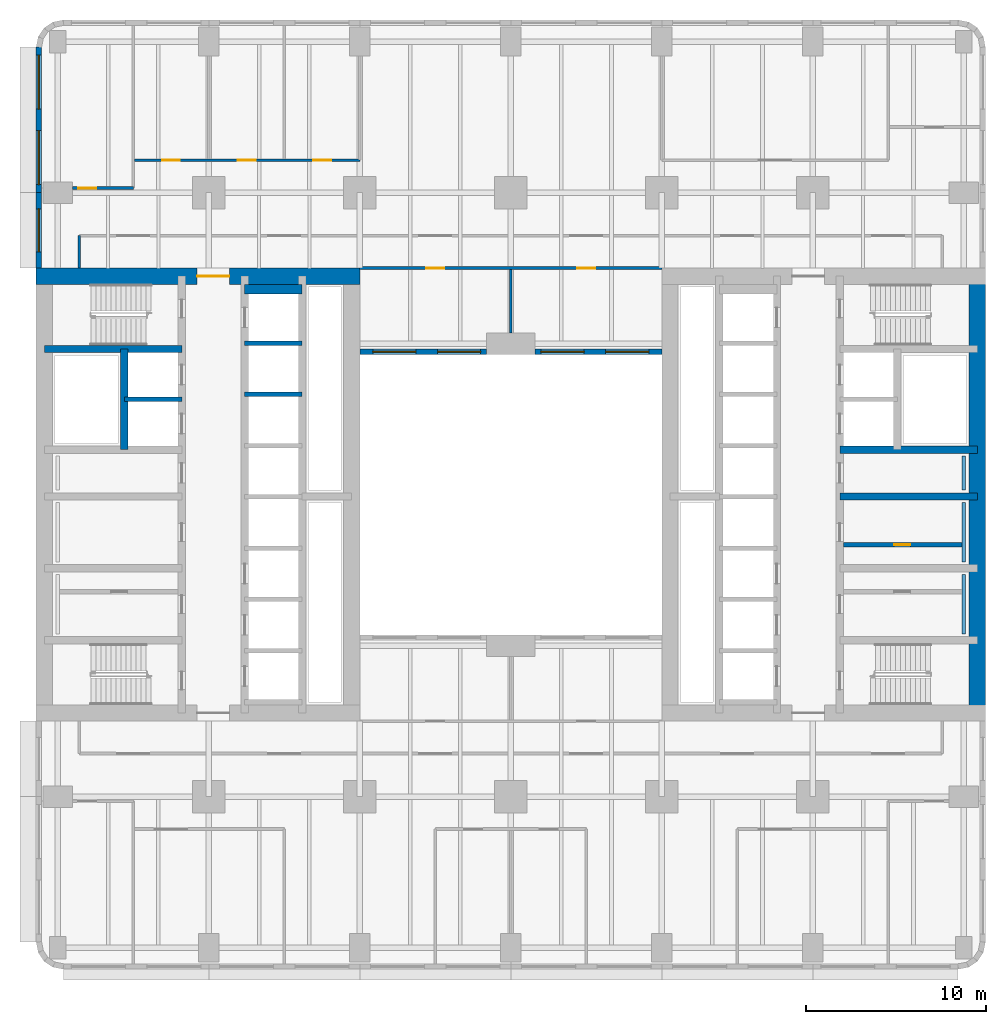
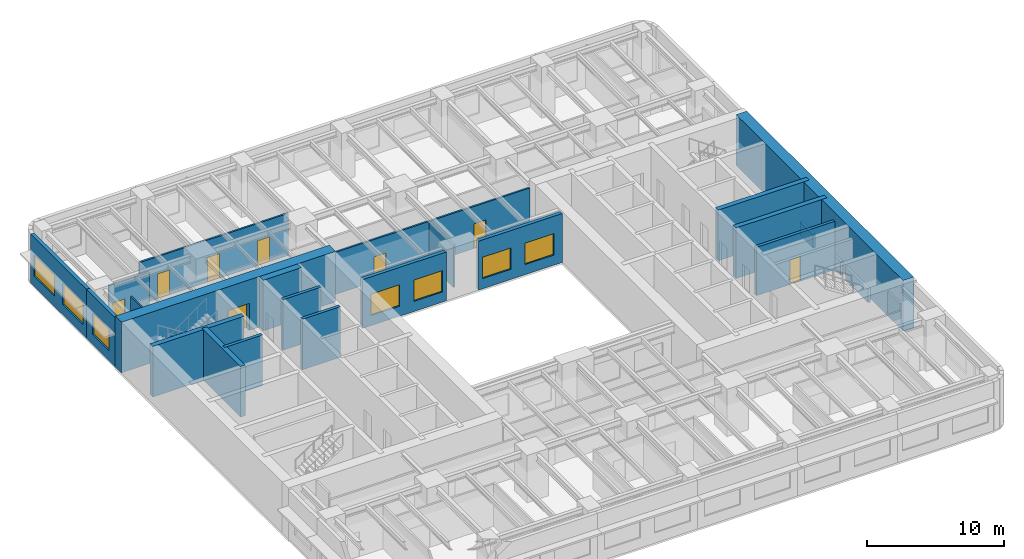
# One storey, part 6 of 14: 23 walls, 8 doors, 7 windows, 15 openings.
"""IFC4 building model written with IfcOpenShell, lengths in metres."""

from ifc_helpers import new_model, si_unit, direction, frame, frame_2d, origin, place, context, subcontext, project, spatial, rectangle, extrude, material, layer, layer_set, type_object, element, fill, save


model = new_model("IFC4")

# Units and contexts
model_context = context("Model", 3, precision=1e-05, world=origin(), true_north=direction((0.0, 1.0)))
body_context = subcontext(model_context, "Body", "Model", "MODEL_VIEW")
ifc_project = project(units=[si_unit("LENGTHUNIT", "METRE"), si_unit("AREAUNIT", "SQUARE_METRE"), si_unit("VOLUMEUNIT", "CUBIC_METRE"), si_unit("PLANEANGLEUNIT", "RADIAN"), si_unit("MASSUNIT", "GRAM", prefix="KILO")], contexts=[model_context])

# Site, building, storey
site_placement = place(None, origin())
site = spatial("IfcSite", under=ifc_project, at=site_placement, CompositionType="ELEMENT")
building_placement = place(site_placement, origin())
building = spatial("IfcBuilding", under=site, at=building_placement, Name="Claustro Exchange Tower", CompositionType="ELEMENT")
storey_placement = place(building_placement, frame((0.0, 0.0, 72.89990234375)))
storey = spatial("IfcBuildingStorey", under=building, at=storey_placement, Name="L16", CompositionType="ELEMENT", Elevation=72.89990234375)

# Wall, opening, door
ifc_material_1 = material(Name="Gypsum board on steel studs", Category="steel")
ifc_layer_1 = layer(ifc_material_1, 0.14990234375)
ifc_layer_set_1 = layer_set([ifc_layer_1], Name="Gypsum board on steel studs")
wall_type_1 = type_object("IfcWallType", Name="P1 150 plasterboard partition", PredefinedType="PARTITIONING", material=ifc_layer_set_1)
wall_1_placement = place(storey_placement, frame((0.823974609375, 42.25, 0.0), z_axis=(0.0, 0.0, 1.0), x_axis=(1.0, 0.0, 0.0)))
wall_1 = element("IfcWall", 1, at=wall_1_placement, inside=storey, type_object=wall_type_1, Name="Partition P1 L16", PredefinedType="PARTITIONING", context=body_context, shape_type="SweptSolid", body=[
    extrude(rectangle(XDim=3.3759765625, YDim=0.14990234375, at=frame_2d((1.68798828125, 0.0))), origin(), (0.0, 0.0, 1.0), 3.840087890625),
])
opening_1_placement = place(wall_1_placement, frame((0.325927734375, 0.0, 0.0)))
opening_1 = element("IfcOpeningElement", 2, at=opening_1_placement, cuts=wall_1, Name="Opening D1", PredefinedType="OPENING", context=body_context, shape_type="SweptSolid", body=[
    extrude(rectangle(XDim=1.0, YDim=2.199951171875, at=frame_2d((0.5, 1.10009765625))), frame((0.0, 0.0849609375, 0.0), z_axis=(0.0, -1.0, 0.0), x_axis=(1.0, 0.0, 0.0)), (0.0, 0.0, 1.0), 0.169921875),
])
ifc_material_2 = material(Name="Timber door, oak veneer", Category="wood")
door_type_1 = type_object("IfcDoorType", Name="D1 1000 x 2200 single door", OperationType="SINGLE_SWING_LEFT", PredefinedType="DOOR", material=ifc_material_2)
door_1_placement = place(opening_1_placement, origin())
door_1 = element("IfcDoor", 3, at=door_1_placement, inside=storey, type_object=door_type_1, Name="Door D1 L16", OperationType="SINGLE_SWING_RIGHT", OverallHeight=2.199951171875, OverallWidth=1.0, PredefinedType="DOOR", context=body_context, shape_type="SweptSolid", body=[
    extrude(rectangle(XDim=1.0, YDim=2.199951171875, at=frame_2d((0.5, 1.10009765625))), frame((0.0, 0.02490234375, 0.0), z_axis=(0.0, -1.0, 0.0), x_axis=(1.0, 0.0, 0.0)), (0.0, 0.0, 1.0), 0.050048828125),
])
fill(opening_1, door_1)

# Wall, openings, doors
wall_2_placement = place(storey_placement, frame((4.27392578125, 43.800048828125, 0.0), z_axis=(0.0, 0.0, 1.0), x_axis=(1.0, 0.0, 0.0)))
wall_2 = element("IfcWall", 4, at=wall_2_placement, inside=storey, type_object=wall_type_1, Name="Partition P1 L16", PredefinedType="PARTITIONING", context=body_context, shape_type="SweptSolid", body=[
    extrude(rectangle(XDim=12.526123046875, YDim=0.14990234375, at=frame_2d((6.26318359375, 0.0))), origin(), (0.0, 0.0, 1.0), 3.739990234375),
])
opening_2_placement = place(wall_2_placement, frame((1.52587890625, 0.0, 0.0)))
opening_2 = element("IfcOpeningElement", 5, at=opening_2_placement, cuts=wall_2, Name="Opening D1", PredefinedType="OPENING", context=body_context, shape_type="SweptSolid", body=[
    extrude(rectangle(XDim=1.0, YDim=2.199951171875, at=frame_2d((0.5, 1.10009765625))), frame((0.0, 0.0849609375, 0.0), z_axis=(0.0, -1.0, 0.0), x_axis=(1.0, 0.0, 0.0)), (0.0, 0.0, 1.0), 0.169921875),
])
opening_3_placement = place(wall_2_placement, frame((5.72607421875, 0.0, 0.0)))
opening_3 = element("IfcOpeningElement", 6, at=opening_3_placement, cuts=wall_2, Name="Opening D1", PredefinedType="OPENING", context=body_context, shape_type="SweptSolid", body=[
    extrude(rectangle(XDim=1.0, YDim=2.199951171875, at=frame_2d((0.5, 1.10009765625))), frame((0.0, 0.0849609375, 0.0), z_axis=(0.0, -1.0, 0.0), x_axis=(1.0, 0.0, 0.0)), (0.0, 0.0, 1.0), 0.169921875),
])
opening_4_placement = place(wall_2_placement, frame((9.926025390625, 0.0, 0.0)))
opening_4 = element("IfcOpeningElement", 7, at=opening_4_placement, cuts=wall_2, Name="Opening D1", PredefinedType="OPENING", context=body_context, shape_type="SweptSolid", body=[
    extrude(rectangle(XDim=1.0, YDim=2.199951171875, at=frame_2d((0.5, 1.10009765625))), frame((0.0, 0.0849609375, 0.0), z_axis=(0.0, -1.0, 0.0), x_axis=(1.0, 0.0, 0.0)), (0.0, 0.0, 1.0), 0.169921875),
])
door_2_placement = place(opening_2_placement, origin())
door_2 = element("IfcDoor", 8, at=door_2_placement, inside=storey, type_object=door_type_1, Name="Door D1 L16", OperationType="SINGLE_SWING_LEFT", OverallHeight=2.199951171875, OverallWidth=1.0, PredefinedType="DOOR", context=body_context, shape_type="SweptSolid", body=[
    extrude(rectangle(XDim=1.0, YDim=2.199951171875, at=frame_2d((0.5, 1.10009765625))), frame((0.0, 0.02490234375, 0.0), z_axis=(0.0, -1.0, 0.0), x_axis=(1.0, 0.0, 0.0)), (0.0, 0.0, 1.0), 0.050048828125),
])
fill(opening_2, door_2)
door_3_placement = place(opening_3_placement, origin())
door_3 = element("IfcDoor", 9, at=door_3_placement, inside=storey, type_object=door_type_1, Name="Door D1 L16", OperationType="SINGLE_SWING_LEFT", OverallHeight=2.199951171875, OverallWidth=1.0, PredefinedType="DOOR", context=body_context, shape_type="SweptSolid", body=[
    extrude(rectangle(XDim=1.0, YDim=2.199951171875, at=frame_2d((0.5, 1.10009765625))), frame((0.0, 0.02490234375, 0.0), z_axis=(0.0, -1.0, 0.0), x_axis=(1.0, 0.0, 0.0)), (0.0, 0.0, 1.0), 0.050048828125),
])
fill(opening_3, door_3)
door_4_placement = place(opening_4_placement, origin())
door_4 = element("IfcDoor", 10, at=door_4_placement, inside=storey, type_object=door_type_1, Name="Door D1 L16", OperationType="SINGLE_SWING_LEFT", OverallHeight=2.199951171875, OverallWidth=1.0, PredefinedType="DOOR", context=body_context, shape_type="SweptSolid", body=[
    extrude(rectangle(XDim=1.0, YDim=2.199951171875, at=frame_2d((0.5, 1.10009765625))), frame((0.0, 0.02490234375, 0.0), z_axis=(0.0, -1.0, 0.0), x_axis=(1.0, 0.0, 0.0)), (0.0, 0.0, 1.0), 0.050048828125),
])
fill(opening_4, door_4)

# Wall
wall_3_placement = place(storey_placement, frame((1.199951171875, 37.800048828125, 0.0), z_axis=(0.0, 0.0, 1.0), x_axis=(0.0, 1.0, 0.0)))
element("IfcWall", 11, at=wall_3_placement, inside=storey, type_object=wall_type_1, Name="Partition P1 L16", PredefinedType="PARTITIONING", context=body_context, shape_type="SweptSolid", body=[
    extrude(rectangle(XDim=1.800048828125, YDim=0.14990234375, at=frame_2d((0.89990234375, 0.0))), origin(), (0.0, 0.0, 1.0), 4.340087890625),
])

# Wall, openings, doors
wall_4_placement = place(storey_placement, frame((16.798095703125, 37.800048828125, 0.0), z_axis=(0.0, 0.0, 1.0), x_axis=(1.0, 0.0, 0.0)))
wall_4 = element("IfcWall", 12, at=wall_4_placement, inside=storey, type_object=wall_type_1, Name="Partition P1 L16", PredefinedType="PARTITIONING", context=body_context, shape_type="SweptSolid", body=[
    extrude(rectangle(XDim=16.803955078125, YDim=0.14990234375, at=frame_2d((8.40185546875, 0.0))), origin(), (0.0, 0.0, 1.0), 3.739990234375),
])
opening_5_placement = place(wall_4_placement, frame((3.701904296875, 0.0, 0.0)))
opening_5 = element("IfcOpeningElement", 13, at=opening_5_placement, cuts=wall_4, Name="Opening D1", PredefinedType="OPENING", context=body_context, shape_type="SweptSolid", body=[
    extrude(rectangle(XDim=1.0, YDim=2.199951171875, at=frame_2d((0.5, 1.10009765625))), frame((0.0, 0.0849609375, 0.0), z_axis=(0.0, -1.0, 0.0), x_axis=(1.0, 0.0, 0.0)), (0.0, 0.0, 1.0), 0.169921875),
])
opening_6_placement = place(wall_4_placement, frame((12.10205078125, 0.0, 0.0)))
opening_6 = element("IfcOpeningElement", 14, at=opening_6_placement, cuts=wall_4, Name="Opening D1", PredefinedType="OPENING", context=body_context, shape_type="SweptSolid", body=[
    extrude(rectangle(XDim=1.0, YDim=2.199951171875, at=frame_2d((0.5, 1.10009765625))), frame((0.0, 0.0849609375, 0.0), z_axis=(0.0, -1.0, 0.0), x_axis=(1.0, 0.0, 0.0)), (0.0, 0.0, 1.0), 0.169921875),
])
door_5_placement = place(opening_5_placement, frame((1.0, 0.0, 0.0), z_axis=(0.0, 0.0, 1.0), x_axis=(-1.0, 0.0, 0.0)))
door_5 = element("IfcDoor", 15, at=door_5_placement, inside=storey, type_object=door_type_1, Name="Door D1 L16", OperationType="SINGLE_SWING_RIGHT", OverallHeight=2.199951171875, OverallWidth=1.0, PredefinedType="DOOR", context=body_context, shape_type="SweptSolid", body=[
    extrude(rectangle(XDim=1.0, YDim=2.199951171875, at=frame_2d((0.5, 1.10009765625))), frame((0.0, 0.02490234375, 0.0), z_axis=(0.0, -1.0, 0.0), x_axis=(1.0, 0.0, 0.0)), (0.0, 0.0, 1.0), 0.050048828125),
])
fill(opening_5, door_5)
door_6_placement = place(opening_6_placement, frame((1.0, 0.0, 0.0), z_axis=(0.0, 0.0, 1.0), x_axis=(-1.0, 0.0, 0.0)))
door_6 = element("IfcDoor", 16, at=door_6_placement, inside=storey, type_object=door_type_1, Name="Door D1 L16", OperationType="SINGLE_SWING_RIGHT", OverallHeight=2.199951171875, OverallWidth=1.0, PredefinedType="DOOR", context=body_context, shape_type="SweptSolid", body=[
    extrude(rectangle(XDim=1.0, YDim=2.199951171875, at=frame_2d((0.5, 1.10009765625))), frame((0.0, 0.02490234375, 0.0), z_axis=(0.0, -1.0, 0.0), x_axis=(1.0, 0.0, 0.0)), (0.0, 0.0, 1.0), 0.050048828125),
])
fill(opening_6, door_6)

# Wall
wall_5_placement = place(storey_placement, frame((25.199951171875, 34.198974609375, 0.0), z_axis=(0.0, 0.0, 1.0), x_axis=(0.0, 1.0, 0.0)))
element("IfcWall", 17, at=wall_5_placement, inside=storey, type_object=wall_type_1, Name="Partition P1 L16", PredefinedType="PARTITIONING", context=body_context, shape_type="SweptSolid", body=[
    extrude(rectangle(XDim=3.527099609375, YDim=0.14990234375, at=frame_2d((1.763671875, 0.0))), origin(), (0.0, 0.0, 1.0), 3.739990234375),
])

# Wall, opening, door
ifc_material_3 = material(Name="Concrete blockwork, rendered", Category="masonry")
ifc_layer_2 = layer(ifc_material_3, 0.25)
ifc_layer_set_2 = layer_set([ifc_layer_2], Name="Concrete blockwork, rendered")
wall_type_2 = type_object("IfcWallType", Name="P4 250 blockwork wall", PredefinedType="PARTITIONING", material=ifc_layer_set_2)
wall_6_placement = place(storey_placement, frame((43.699951171875, 22.39990234375, 0.0), z_axis=(0.0, 0.0, 1.0), x_axis=(1.0, 0.0, 0.0)))
wall_6 = element("IfcWall", 18, at=wall_6_placement, inside=storey, type_object=wall_type_2, Name="Partition P4 L16", PredefinedType="PARTITIONING", context=body_context, shape_type="SweptSolid", body=[
    extrude(rectangle(XDim=6.60009765625, YDim=0.25, at=frame_2d((3.300048828125, 0.0))), origin(), (0.0, 0.0, 1.0), 4.300048828125),
])
opening_7_placement = place(wall_6_placement, frame((2.824951171875, 0.0, 0.0)))
opening_7 = element("IfcOpeningElement", 19, at=opening_7_placement, cuts=wall_6, Name="Opening D5", PredefinedType="OPENING", context=body_context, shape_type="SweptSolid", body=[
    extrude(rectangle(XDim=0.89990234375, YDim=2.199951171875, at=frame_2d((0.449951171875, 1.10009765625))), frame((0.0, 0.135009765625, 0.0), z_axis=(0.0, -1.0, 0.0), x_axis=(1.0, 0.0, 0.0)), (0.0, 0.0, 1.0), 0.27001953125),
])
ifc_material_4 = material(Name="Steel door, painted", Category="steel")
door_type_2 = type_object("IfcDoorType", Name="D5 900 x 2200 store door", OperationType="SINGLE_SWING_LEFT", PredefinedType="DOOR", material=ifc_material_4)
door_7_placement = place(opening_7_placement, frame((0.89990234375, 0.0, 0.0), z_axis=(0.0, 0.0, 1.0), x_axis=(-1.0, 0.0, 0.0)))
door_7 = element("IfcDoor", 20, at=door_7_placement, inside=storey, type_object=door_type_2, Name="Store door D5 L16", OperationType="SINGLE_SWING_LEFT", OverallHeight=2.199951171875, OverallWidth=0.89990234375, PredefinedType="DOOR", context=body_context, shape_type="SweptSolid", body=[
    extrude(rectangle(XDim=0.89990234375, YDim=2.199951171875, at=frame_2d((0.449951171875, 1.10009765625))), frame((0.0, 0.02490234375, 0.0), z_axis=(0.0, -1.0, 0.0), x_axis=(1.0, 0.0, 0.0)), (0.0, 0.0, 1.0), 0.050048828125),
])
fill(opening_7, door_7)

# Wall, opening, window
ifc_material_5 = material(Name="Concrete HA-40 (C40/50), precast, white cement, acid-etched", Category="concrete")
ifc_layer_3 = layer(ifc_material_5, 0.300048828125)
ifc_layer_set_3 = layer_set([ifc_layer_3], Name="Concrete HA-40 (C40/50), precast, white cement, acid-etched")
wall_type_3 = type_object("IfcWallType", Name="PC1 300 precast concrete pier panel", PredefinedType="SOLIDWALL", material=ifc_layer_set_3)
wall_7_placement = place(storey_placement, frame((-1.050048828125, 37.800048828125, 0.0), z_axis=(0.0, 0.0, 1.0), x_axis=(0.0, 1.0, 0.0)))
wall_7 = element("IfcWall", 21, at=wall_7_placement, inside=storey, type_object=wall_type_3, Name="Precast pier panel PC1 L16", PredefinedType="SOLIDWALL", context=body_context, shape_type="SweptSolid", body=[
    extrude(rectangle(XDim=4.199951171875, YDim=0.300048828125, at=frame_2d((2.10009765625, 0.0))), origin(), (0.0, 0.0, 1.0), 4.340087890625),
])
opening_8_placement = place(wall_7_placement, frame((0.89990234375, 0.0, 0.89990234375)))
opening_8 = element("IfcOpeningElement", 22, at=opening_8_placement, cuts=wall_7, Name="Opening W2", PredefinedType="OPENING", context=body_context, shape_type="SweptSolid", body=[
    extrude(rectangle(XDim=2.39990234375, YDim=1.89990234375, at=frame_2d((1.199951171875, 0.949951171875))), frame((0.0, 0.159912109375, 0.0), z_axis=(0.0, -1.0, 0.0), x_axis=(1.0, 0.0, 0.0)), (0.0, 0.0, 1.0), 0.320068359375),
])
ifc_material_6 = material(Name="Aluminium frame, clear double glazing", Category="aluminium")
window_type_1 = type_object("IfcWindowType", Name="W2 2400 x 1900 window", PartitioningType="SINGLE_PANEL", PredefinedType="WINDOW", material=ifc_material_6)
window_1_placement = place(opening_8_placement, origin())
window_1 = element("IfcWindow", 23, at=window_1_placement, inside=storey, type_object=window_type_1, Name="Window W2 L16", OverallHeight=1.89990234375, OverallWidth=2.39990234375, PartitioningType="SINGLE_PANEL", PredefinedType="WINDOW", context=body_context, shape_type="SweptSolid", body=[
    extrude(rectangle(XDim=2.39990234375, YDim=1.89990234375, at=frame_2d((1.199951171875, 0.949951171875))), frame((0.0, 0.030029296875, 0.0), z_axis=(0.0, -1.0, 0.0), x_axis=(1.0, 0.0, 0.0)), (0.0, 0.0, 1.0), 0.06005859375),
])
fill(opening_8, window_1)

# Wall, openings, windows
wall_8_placement = place(storey_placement, frame((-1.050048828125, 42.0, 0.0), z_axis=(0.0, 0.0, 1.0), x_axis=(0.0, 1.0, 0.0)))
wall_8 = element("IfcWall", 24, at=wall_8_placement, inside=storey, type_object=wall_type_3, Name="Precast pier panel PC1 L16", PredefinedType="SOLIDWALL", context=body_context, shape_type="SweptSolid", body=[
    extrude(rectangle(XDim=8.085205078125, YDim=0.300048828125, at=frame_2d((4.04248046875, 0.0))), origin(), (0.0, 0.0, 1.0), 4.340087890625),
])
opening_9_placement = place(wall_8_placement, frame((0.442626953125, 0.0, 0.89990234375)))
opening_9 = element("IfcOpeningElement", 25, at=opening_9_placement, cuts=wall_8, Name="Opening W1", PredefinedType="OPENING", context=body_context, shape_type="SweptSolid", body=[
    extrude(rectangle(XDim=3.0, YDim=1.89990234375, at=frame_2d((1.5, 0.949951171875))), frame((0.0, 0.159912109375, 0.0), z_axis=(0.0, -1.0, 0.0), x_axis=(1.0, 0.0, 0.0)), (0.0, 0.0, 1.0), 0.320068359375),
])
opening_10_placement = place(wall_8_placement, frame((4.642578125, 0.0, 0.89990234375)))
opening_10 = element("IfcOpeningElement", 26, at=opening_10_placement, cuts=wall_8, Name="Opening W1", PredefinedType="OPENING", context=body_context, shape_type="SweptSolid", body=[
    extrude(rectangle(XDim=3.0, YDim=1.89990234375, at=frame_2d((1.5, 0.949951171875))), frame((0.0, 0.159912109375, 0.0), z_axis=(0.0, -1.0, 0.0), x_axis=(1.0, 0.0, 0.0)), (0.0, 0.0, 1.0), 0.320068359375),
])
ifc_material_7 = material(Name="Aluminium frame, clear double glazing", Category="aluminium")
window_type_2 = type_object("IfcWindowType", Name="W1 3000 x 1900 window", PartitioningType="SINGLE_PANEL", PredefinedType="WINDOW", material=ifc_material_7)
window_2_placement = place(opening_9_placement, origin())
window_2 = element("IfcWindow", 27, at=window_2_placement, inside=storey, type_object=window_type_2, Name="Window W1 L16", OverallHeight=1.89990234375, OverallWidth=3.0, PartitioningType="SINGLE_PANEL", PredefinedType="WINDOW", context=body_context, shape_type="SweptSolid", body=[
    extrude(rectangle(XDim=3.0, YDim=1.89990234375, at=frame_2d((1.5, 0.949951171875))), frame((0.0, 0.030029296875, 0.0), z_axis=(0.0, -1.0, 0.0), x_axis=(1.0, 0.0, 0.0)), (0.0, 0.0, 1.0), 0.06005859375),
])
fill(opening_9, window_2)
window_3_placement = place(opening_10_placement, origin())
window_3 = element("IfcWindow", 28, at=window_3_placement, inside=storey, type_object=window_type_2, Name="Window W1 L16", OverallHeight=1.89990234375, OverallWidth=3.0, PartitioningType="SINGLE_PANEL", PredefinedType="WINDOW", context=body_context, shape_type="SweptSolid", body=[
    extrude(rectangle(XDim=3.0, YDim=1.89990234375, at=frame_2d((1.5, 0.949951171875))), frame((0.0, 0.030029296875, 0.0), z_axis=(0.0, -1.0, 0.0), x_axis=(1.0, 0.0, 0.0)), (0.0, 0.0, 1.0), 0.06005859375),
])
fill(opening_10, window_3)

wall_9_placement = place(storey_placement, frame((16.800048828125, 33.14990234375, 0.0), z_axis=(0.0, 0.0, 1.0), x_axis=(1.0, 0.0, 0.0)))
wall_9 = element("IfcWall", 29, at=wall_9_placement, inside=storey, type_object=wall_type_3, Name="Precast pier panel PC1 L16", PredefinedType="SOLIDWALL", context=body_context, shape_type="SweptSolid", body=[
    extrude(rectangle(XDim=7.050048828125, YDim=0.300048828125, at=frame_2d((3.52490234375, 0.0))), origin(), (0.0, 0.0, 1.0), 4.340087890625),
])
opening_11_placement = place(wall_9_placement, frame((0.72509765625, 0.0, 0.89990234375)))
opening_11 = element("IfcOpeningElement", 30, at=opening_11_placement, cuts=wall_9, Name="Opening W2", PredefinedType="OPENING", context=body_context, shape_type="SweptSolid", body=[
    extrude(rectangle(XDim=2.39990234375, YDim=1.89990234375, at=frame_2d((1.199951171875, 0.949951171875))), frame((0.0, 0.159912109375, 0.0), z_axis=(0.0, -1.0, 0.0), x_axis=(1.0, 0.0, 0.0)), (0.0, 0.0, 1.0), 0.320068359375),
])
opening_12_placement = place(wall_9_placement, frame((4.324951171875, 0.0, 0.89990234375)))
opening_12 = element("IfcOpeningElement", 31, at=opening_12_placement, cuts=wall_9, Name="Opening W2", PredefinedType="OPENING", context=body_context, shape_type="SweptSolid", body=[
    extrude(rectangle(XDim=2.39990234375, YDim=1.89990234375, at=frame_2d((1.199951171875, 0.949951171875))), frame((0.0, 0.159912109375, 0.0), z_axis=(0.0, -1.0, 0.0), x_axis=(1.0, 0.0, 0.0)), (0.0, 0.0, 1.0), 0.320068359375),
])
window_4_placement = place(opening_11_placement, origin())
window_4 = element("IfcWindow", 32, at=window_4_placement, inside=storey, type_object=window_type_1, Name="Window W2 L16", OverallHeight=1.89990234375, OverallWidth=2.39990234375, PartitioningType="SINGLE_PANEL", PredefinedType="WINDOW", context=body_context, shape_type="SweptSolid", body=[
    extrude(rectangle(XDim=2.39990234375, YDim=1.89990234375, at=frame_2d((1.199951171875, 0.949951171875))), frame((0.0, 0.030029296875, 0.0), z_axis=(0.0, -1.0, 0.0), x_axis=(1.0, 0.0, 0.0)), (0.0, 0.0, 1.0), 0.06005859375),
])
fill(opening_11, window_4)
window_5_placement = place(opening_12_placement, origin())
window_5 = element("IfcWindow", 33, at=window_5_placement, inside=storey, type_object=window_type_1, Name="Window W2 L16", OverallHeight=1.89990234375, OverallWidth=2.39990234375, PartitioningType="SINGLE_PANEL", PredefinedType="WINDOW", context=body_context, shape_type="SweptSolid", body=[
    extrude(rectangle(XDim=2.39990234375, YDim=1.89990234375, at=frame_2d((1.199951171875, 0.949951171875))), frame((0.0, 0.030029296875, 0.0), z_axis=(0.0, -1.0, 0.0), x_axis=(1.0, 0.0, 0.0)), (0.0, 0.0, 1.0), 0.06005859375),
])
fill(opening_12, window_5)

wall_10_placement = place(storey_placement, frame((26.550048828125, 33.14990234375, 0.0), z_axis=(0.0, 0.0, 1.0), x_axis=(1.0, 0.0, 0.0)))
wall_10 = element("IfcWall", 34, at=wall_10_placement, inside=storey, type_object=wall_type_3, Name="Precast pier panel PC1 L16", PredefinedType="SOLIDWALL", context=body_context, shape_type="SweptSolid", body=[
    extrude(rectangle(XDim=7.050048828125, YDim=0.300048828125, at=frame_2d((3.52490234375, 0.0))), origin(), (0.0, 0.0, 1.0), 4.340087890625),
])
opening_13_placement = place(wall_10_placement, frame((0.324951171875, 0.0, 0.89990234375)))
opening_13 = element("IfcOpeningElement", 35, at=opening_13_placement, cuts=wall_10, Name="Opening W2", PredefinedType="OPENING", context=body_context, shape_type="SweptSolid", body=[
    extrude(rectangle(XDim=2.39990234375, YDim=1.89990234375, at=frame_2d((1.199951171875, 0.949951171875))), frame((0.0, 0.159912109375, 0.0), z_axis=(0.0, -1.0, 0.0), x_axis=(1.0, 0.0, 0.0)), (0.0, 0.0, 1.0), 0.320068359375),
])
opening_14_placement = place(wall_10_placement, frame((3.925048828125, 0.0, 0.89990234375)))
opening_14 = element("IfcOpeningElement", 36, at=opening_14_placement, cuts=wall_10, Name="Opening W2", PredefinedType="OPENING", context=body_context, shape_type="SweptSolid", body=[
    extrude(rectangle(XDim=2.39990234375, YDim=1.89990234375, at=frame_2d((1.199951171875, 0.949951171875))), frame((0.0, 0.159912109375, 0.0), z_axis=(0.0, -1.0, 0.0), x_axis=(1.0, 0.0, 0.0)), (0.0, 0.0, 1.0), 0.320068359375),
])
window_6_placement = place(opening_13_placement, origin())
window_6 = element("IfcWindow", 37, at=window_6_placement, inside=storey, type_object=window_type_1, Name="Window W2 L16", OverallHeight=1.89990234375, OverallWidth=2.39990234375, PartitioningType="SINGLE_PANEL", PredefinedType="WINDOW", context=body_context, shape_type="SweptSolid", body=[
    extrude(rectangle(XDim=2.39990234375, YDim=1.89990234375, at=frame_2d((1.199951171875, 0.949951171875))), frame((0.0, 0.030029296875, 0.0), z_axis=(0.0, -1.0, 0.0), x_axis=(1.0, 0.0, 0.0)), (0.0, 0.0, 1.0), 0.06005859375),
])
fill(opening_13, window_6)
window_7_placement = place(opening_14_placement, origin())
window_7 = element("IfcWindow", 38, at=window_7_placement, inside=storey, type_object=window_type_1, Name="Window W2 L16", OverallHeight=1.89990234375, OverallWidth=2.39990234375, PartitioningType="SINGLE_PANEL", PredefinedType="WINDOW", context=body_context, shape_type="SweptSolid", body=[
    extrude(rectangle(XDim=2.39990234375, YDim=1.89990234375, at=frame_2d((1.199951171875, 0.949951171875))), frame((0.0, 0.030029296875, 0.0), z_axis=(0.0, -1.0, 0.0), x_axis=(1.0, 0.0, 0.0)), (0.0, 0.0, 1.0), 0.06005859375),
])
fill(opening_14, window_7)

# Walls
ifc_material_8 = material(Name="Gypsum board on steel studs, tiled", Category="steel")
ifc_layer_4 = layer(ifc_material_8, 0.199951171875)
ifc_layer_set_4 = layer_set([ifc_layer_4], Name="Gypsum board on steel studs, tiled")
wall_type_4 = type_object("IfcWallType", Name="PW1 200 WC duct wall", PredefinedType="PLUMBINGWALL", material=ifc_layer_set_4)
for number, where, z_axis, x_axis, name in (
    (39, (50.39990234375, 17.449951171875, 0.0), (0.0, 0.0, 1.0), (0.0, 1.0, 0.0), "WC duct wall PW1 L16"),
    (40, (50.39990234375, 21.449951171875, 0.0), (0.0, 0.0, 1.0), (0.0, 1.0, 0.0), "WC duct wall PW1 L16"),
):
    element("IfcWall", number, at=place(storey_placement, frame(where, z_axis=z_axis, x_axis=x_axis)), inside=storey, type_object=wall_type_4, Name=name, PredefinedType="PLUMBINGWALL", context=body_context, shape_type="SweptSolid", body=[
        extrude(rectangle(XDim=3.300048828125, YDim=0.199951171875, at=frame_2d((1.64990234375, 0.0))), origin(), (0.0, 0.0, 1.0), 1.2001953125),
    ])
wall_11_placement = place(storey_placement, frame((50.39990234375, 25.449951171875, 0.0), z_axis=(0.0, 0.0, 1.0), x_axis=(0.0, 1.0, 0.0)))
element("IfcWall", 41, at=wall_11_placement, inside=storey, type_object=wall_type_4, Name="WC duct wall PW1 L16", PredefinedType="PLUMBINGWALL", context=body_context, shape_type="SweptSolid", body=[
    extrude(rectangle(XDim=1.900146484375, YDim=0.199951171875, at=frame_2d((0.9501953125, 0.0))), origin(), (0.0, 0.0, 1.0), 1.2001953125),
])

# Wall, opening, door
ifc_material_9 = material(Name="Concrete HA-70 (C70/85)", Category="concrete")
ifc_layer_5 = layer(ifc_material_9, 0.89990234375)
ifc_layer_set_5 = layer_set([ifc_layer_5], Name="Concrete HA-70 (C70/85)")
wall_type_5 = type_object("IfcWallType", Name="SW1 900 core shear wall", PredefinedType="SHEAR", material=ifc_layer_set_5)
wall_12_placement = place(storey_placement, frame((-1.199951171875, 37.35009765625, 0.0), z_axis=(0.0, 0.0, 1.0), x_axis=(1.0, 0.0, 0.0)))
wall_12 = element("IfcWall", 42, at=wall_12_placement, inside=storey, type_object=wall_type_5, Name="Core wall SW1 W core N face L16", PredefinedType="SHEAR", context=body_context, shape_type="SweptSolid", body=[
    extrude(rectangle(XDim=18.0, YDim=0.89990234375, at=frame_2d((9.0, 0.0))), origin(), (0.0, 0.0, 1.0), 4.5),
])
opening_15_placement = place(wall_12_placement, frame((8.949951171875, 0.0, 0.0)))
opening_15 = element("IfcOpeningElement", 43, at=opening_15_placement, cuts=wall_12, Name="Opening D3", PredefinedType="OPENING", context=body_context, shape_type="SweptSolid", body=[
    extrude(rectangle(XDim=1.800048828125, YDim=2.39990234375, at=frame_2d((0.89990234375, 1.199951171875))), frame((0.0, 0.4599609375, 0.0), z_axis=(0.0, -1.0, 0.0), x_axis=(1.0, 0.0, 0.0)), (0.0, 0.0, 1.0), 0.919921875),
])
ifc_material_10 = material(Name="Steel fire door, painted", Category="steel")
door_type_3 = type_object("IfcDoorType", Name="D3 1800 x 2400 fire-rated lobby double door", OperationType="DOUBLE_DOOR_SINGLE_SWING", PredefinedType="DOOR", material=ifc_material_10)
door_8_placement = place(opening_15_placement, frame((1.800048828125, 0.0, 0.0), z_axis=(0.0, 0.0, 1.0), x_axis=(-1.0, 0.0, 0.0)))
door_8 = element("IfcDoor", 44, at=door_8_placement, inside=storey, type_object=door_type_3, Name="Lift lobby door D3 L16", OperationType="DOUBLE_DOOR_SINGLE_SWING", OverallHeight=2.39990234375, OverallWidth=1.800048828125, PredefinedType="DOOR", context=body_context, shape_type="SweptSolid", body=[
    extrude(rectangle(XDim=1.800048828125, YDim=2.39990234375, at=frame_2d((0.89990234375, 1.199951171875))), frame((0.0, 0.02490234375, 0.0), z_axis=(0.0, -1.0, 0.0), x_axis=(1.0, 0.0, 0.0)), (0.0, 0.0, 1.0), 0.050048828125),
])
fill(opening_15, door_8)

# Walls
ifc_material_11 = material(Name="Concrete HA-70 (C70/85)", Category="concrete")
ifc_layer_6 = layer(ifc_material_11, 0.89990234375)
ifc_layer_set_6 = layer_set([ifc_layer_6], Name="Concrete HA-70 (C70/85)")
wall_type_6 = type_object("IfcWallType", Name="SW1X 900 exposed core shear wall, board-marked face", PredefinedType="SHEAR", material=ifc_layer_set_6)
wall_13_placement = place(storey_placement, frame((51.14990234375, 13.050048828125, 0.0), z_axis=(0.0, 0.0, 1.0), x_axis=(0.0, 1.0, 0.0)))
element("IfcWall", 45, at=wall_13_placement, inside=storey, type_object=wall_type_6, Name="Core wall SW1X E core E face L16", PredefinedType="SHEAR", context=body_context, shape_type="SweptSolid", body=[
    extrude(rectangle(XDim=24.300048828125, YDim=0.89990234375, at=frame_2d((12.14990234375, 0.0))), origin(), (0.0, 0.0, 1.0), 4.5),
])
ifc_material_12 = material(Name="Concrete HA-50 (C50/60)", Category="concrete")
ifc_layer_7 = layer(ifc_material_12, 0.39990234375)
ifc_layer_set_7 = layer_set([ifc_layer_7], Name="Concrete HA-50 (C50/60)")
wall_type_7 = type_object("IfcWallType", Name="SW4 400 internal core wall", PredefinedType="SHEAR", material=ifc_layer_set_7)
wall_14_placement = place(storey_placement, frame((-0.75, 33.300048828125, 0.0), z_axis=(0.0, 0.0, 1.0), x_axis=(1.0, 0.0, 0.0)))
element("IfcWall", 46, at=wall_14_placement, inside=storey, type_object=wall_type_7, Name="Internal core wall SW4 W core L16", PredefinedType="SHEAR", context=body_context, shape_type="SweptSolid", body=[
    extrude(rectangle(XDim=7.64990234375, YDim=0.39990234375, at=frame_2d((3.824951171875, 0.0))), origin(), (0.0, 0.0, 1.0), 4.5),
])
wall_15_placement = place(storey_placement, frame((3.699951171875, 27.699951171875, 0.0), z_axis=(0.0, 0.0, 1.0), x_axis=(0.0, 1.0, 0.0)))
element("IfcWall", 47, at=wall_15_placement, inside=storey, type_object=wall_type_7, Name="Internal core wall SW4 W core L16", PredefinedType="SHEAR", context=body_context, shape_type="SweptSolid", body=[
    extrude(rectangle(XDim=5.60009765625, YDim=0.39990234375, at=frame_2d((2.800048828125, 0.0))), origin(), (0.0, 0.0, 1.0), 4.5),
])
for number, where, z_axis, x_axis, name in (
    (48, (51.14990234375, 25.10009765625, 0.0), (0.0, 0.0, 1.0), (-1.0, 0.0, 0.0), "Internal core wall SW4 E core L16"),
    (49, (51.14990234375, 27.699951171875, 0.0), (0.0, 0.0, 1.0), (-1.0, 0.0, 0.0), "Internal core wall SW4 E core L16"),
):
    element("IfcWall", number, at=place(storey_placement, frame(where, z_axis=z_axis, x_axis=x_axis)), inside=storey, type_object=wall_type_7, Name=name, PredefinedType="SHEAR", context=body_context, shape_type="SweptSolid", body=[
        extrude(rectangle(XDim=7.64990234375, YDim=0.39990234375, at=frame_2d((3.824951171875, 0.0))), origin(), (0.0, 0.0, 1.0), 4.5),
    ])
ifc_material_13 = material(Name="Concrete HA-50 (C50/60)", Category="concrete")
ifc_layer_8 = layer(ifc_material_13, 0.25)
ifc_layer_set_8 = layer_set([ifc_layer_8], Name="Concrete HA-50 (C50/60)")
wall_type_8 = type_object("IfcWallType", Name="SW5 250 lift shaft divider wall", PredefinedType="SHEAR", material=ifc_layer_set_8)
wall_16_placement = place(storey_placement, frame((3.699951171875, 30.5, 0.0), z_axis=(0.0, 0.0, 1.0), x_axis=(1.0, 0.0, 0.0)))
element("IfcWall", 50, at=wall_16_placement, inside=storey, type_object=wall_type_8, Name="Lift shaft wall W core L16", PredefinedType="SHEAR", context=body_context, shape_type="SweptSolid", body=[
    extrude(rectangle(XDim=3.199951171875, YDim=0.25, at=frame_2d((1.60009765625, 0.0))), origin(), (0.0, 0.0, 1.0), 4.5),
])
for number, where, z_axis, x_axis, name in (
    (51, (10.39990234375, 30.77490234375, 0.0), (0.0, 0.0, 1.0), (1.0, 0.0, 0.0), "Lift shaft wall W core L16"),
    (52, (10.39990234375, 33.625, 0.0), (0.0, 0.0, 1.0), (1.0, 0.0, 0.0), "Lift shaft wall W core L16"),
):
    element("IfcWall", number, at=place(storey_placement, frame(where, z_axis=z_axis, x_axis=x_axis)), inside=storey, type_object=wall_type_8, Name=name, PredefinedType="SHEAR", context=body_context, shape_type="SweptSolid", body=[
        extrude(rectangle(XDim=3.2001953125, YDim=0.25, at=frame_2d((1.60009765625, 0.0))), origin(), (0.0, 0.0, 1.0), 4.5),
    ])
ifc_material_14 = material(Name="Concrete HA-50 (C50/60)", Category="concrete")
ifc_layer_9 = layer(ifc_material_14, 0.550048828125)
ifc_layer_set_9 = layer_set([ifc_layer_9], Name="Concrete HA-50 (C50/60)")
wall_type_9 = type_object("IfcWallType", Name="SW6 550 lift shaft end wall", PredefinedType="SHEAR", material=ifc_layer_set_9)
wall_17_placement = place(storey_placement, frame((10.39990234375, 36.625, 0.0), z_axis=(0.0, 0.0, 1.0), x_axis=(1.0, 0.0, 0.0)))
element("IfcWall", 53, at=wall_17_placement, inside=storey, type_object=wall_type_9, Name="Lift shaft wall W core L16", PredefinedType="SHEAR", context=body_context, shape_type="SweptSolid", body=[
    extrude(rectangle(XDim=3.2001953125, YDim=0.550048828125, at=frame_2d((1.60009765625, 0.0))), origin(), (0.0, 0.0, 1.0), 4.5),
])

save(model, "model.ifc")
